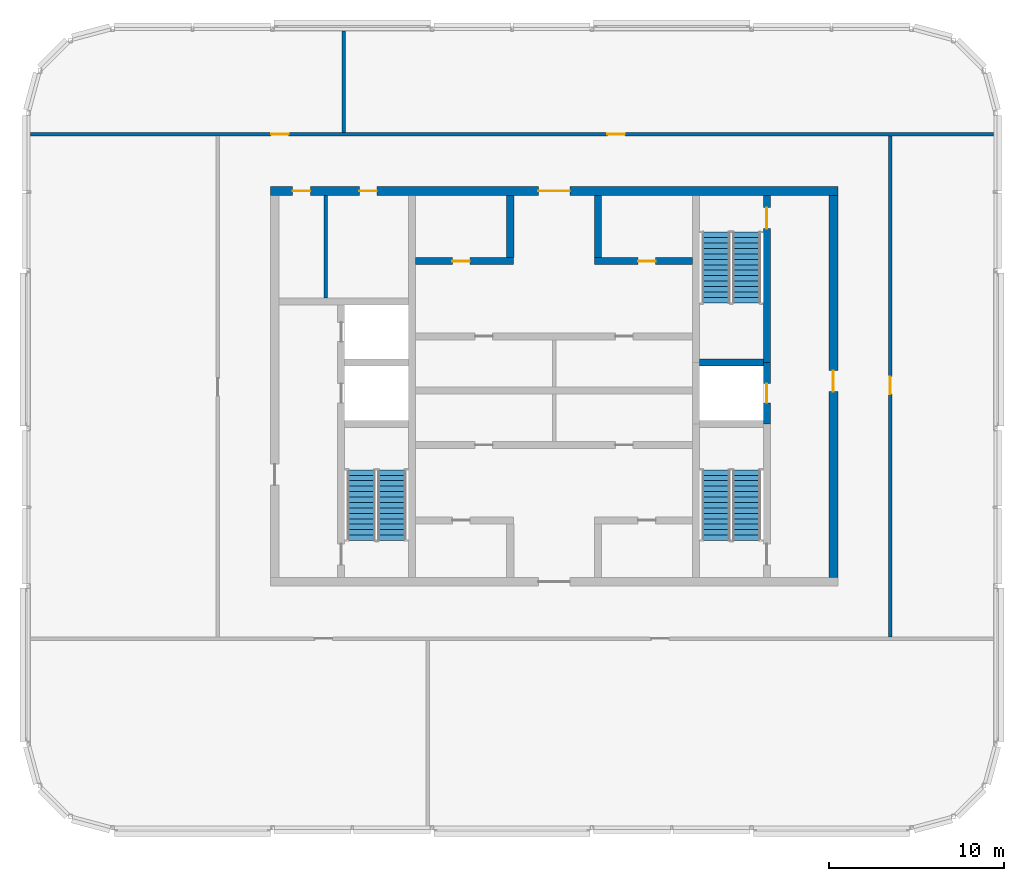
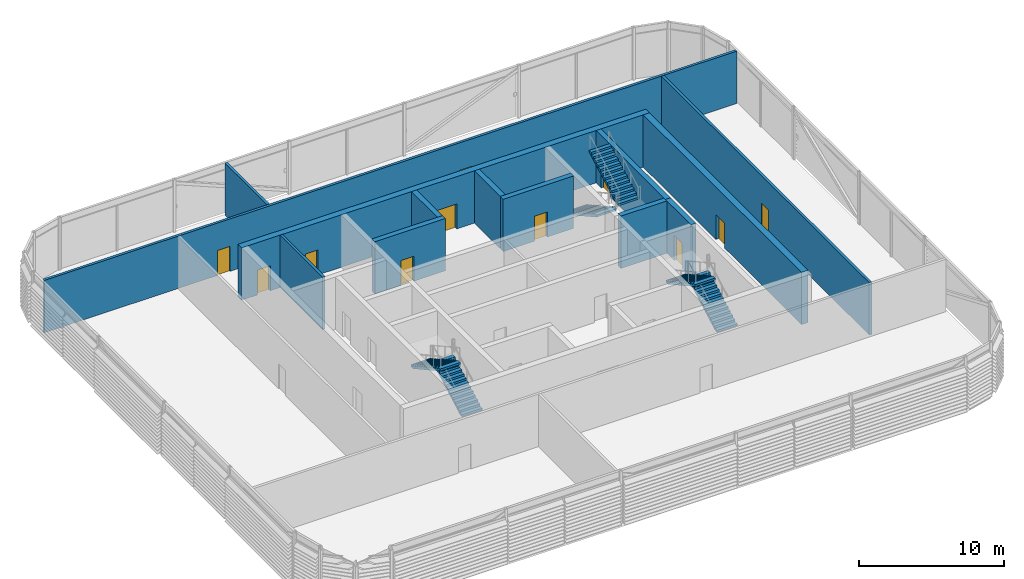
# One storey, part 16 of 27: 13 walls, 11 doors, 6 stair flights, 11 openings, 3 elements without a shape of their own.
"""IFC4 building model written with IfcOpenShell, lengths in metres."""

from ifc_helpers import new_model, si_unit, direction, frame, frame_2d, origin, place, context, subcontext, project, spatial, polyline, rectangle, outline, extrude, material, layer, layer_set, type_object, element, fill, aggregate, save


model = new_model("IFC4")

# Units and contexts
model_context = context("Model", 3, precision=1e-05, world=origin(), true_north=direction((0.0, 1.0)))
body_context = subcontext(model_context, "Body", "Model", "MODEL_VIEW")
ifc_project = project(units=[si_unit("LENGTHUNIT", "METRE"), si_unit("AREAUNIT", "SQUARE_METRE"), si_unit("VOLUMEUNIT", "CUBIC_METRE"), si_unit("PLANEANGLEUNIT", "RADIAN"), si_unit("MASSUNIT", "GRAM", prefix="KILO")], contexts=[model_context])

# Site, building, storey
site_placement = place(None, origin())
site = spatial("IfcSite", under=ifc_project, at=site_placement, CompositionType="ELEMENT")
building_placement = place(site_placement, origin())
building = spatial("IfcBuilding", under=site, at=building_placement, Name="Madar Terraces", CompositionType="ELEMENT")
storey_placement = place(building_placement, frame((0.0, 0.0, 301.10009765625)))
storey = spatial("IfcBuildingStorey", under=building, at=storey_placement, Name="L78", CompositionType="ELEMENT", Elevation=301.10009765625)

# Wall, opening, door
ifc_material_1 = material(Name="Concrete C50/60", Category="concrete")
ifc_layer_1 = layer(ifc_material_1, 0.39990234375)
ifc_layer_set_1 = layer_set([ifc_layer_1], Name="Concrete C50/60 (CIW6 RC wall 400)")
wall_type_1 = type_object("IfcWallType", Name="CIW6 RC wall 400", PredefinedType="SHEAR", material=ifc_layer_set_1)
wall_1_placement = place(storey_placement, frame((43.35009765625, 24.25, 0.0), z_axis=(0.0, 0.0, 1.0), x_axis=(0.0, 1.0, 0.0)))
wall_1 = element("IfcWall", 1, at=wall_1_placement, inside=storey, type_object=wall_type_1, Name="CORE SHAFT WALL", PredefinedType="SHEAR", context=body_context, shape_type="SweptSolid", body=[
    extrude(rectangle(XDim=3.5, YDim=0.39990234375, at=frame_2d((1.75, 0.0))), origin(), (0.0, 0.0, 1.0), 4.39990234375),
])
opening_1_placement = place(wall_1_placement, frame((1.199951171875, 0.0, 0.0)))
opening_1 = element("IfcOpeningElement", 2, at=opening_1_placement, cuts=wall_1, Name="Opening LD", PredefinedType="OPENING", context=body_context, shape_type="SweptSolid", body=[
    extrude(rectangle(XDim=1.10009765625, YDim=2.10009765625, at=frame_2d((0.550048828125, 1.050048828125))), frame((0.0, 0.2099609375, 0.0), z_axis=(0.0, -1.0, 0.0), x_axis=(1.0, 0.0, 0.0)), (0.0, 0.0, 1.0), 0.419921875),
])
ifc_material_2 = material(Name="Stainless steel panel", Category="steel")
door_type_1 = type_object("IfcDoorType", Name="Lift landing door 1100 x 2100", OperationType="DOUBLE_DOOR_SLIDING", PredefinedType="DOOR", material=ifc_material_2)
door_1_placement = place(opening_1_placement, origin())
door_1 = element("IfcDoor", 3, at=door_1_placement, inside=storey, type_object=door_type_1, Name="LIFT LANDING DOOR", OperationType="DOUBLE_DOOR_SLIDING", OverallHeight=2.10009765625, OverallWidth=1.10009765625, PredefinedType="DOOR", context=body_context, shape_type="SweptSolid", body=[
    extrude(rectangle(XDim=1.10009765625, YDim=2.10009765625, at=frame_2d((0.550048828125, 1.050048828125))), frame((0.0, 0.02490234375, 0.0), z_axis=(0.0, -1.0, 0.0), x_axis=(1.0, 0.0, 0.0)), (0.0, 0.0, 1.0), 0.050048828125),
])
fill(opening_1, door_1)

wall_2_placement = place(storey_placement, frame((43.35009765625, 27.75, 0.0), z_axis=(0.0, 0.0, 1.0), x_axis=(0.0, 1.0, 0.0)))
wall_2 = element("IfcWall", 4, at=wall_2_placement, inside=storey, type_object=wall_type_1, Name="CORE SHAFT WALL", PredefinedType="SHEAR", context=body_context, shape_type="SweptSolid", body=[
    extrude(rectangle(XDim=9.550048828125, YDim=0.39990234375, at=frame_2d((4.77490234375, 0.0))), origin(), (0.0, 0.0, 1.0), 4.39990234375),
])
opening_2_placement = place(wall_2_placement, frame((7.64990234375, 0.0, 0.0)))
opening_2 = element("IfcOpeningElement", 5, at=opening_2_placement, cuts=wall_2, Name="Opening SD1", PredefinedType="OPENING", context=body_context, shape_type="SweptSolid", body=[
    extrude(rectangle(XDim=1.199951171875, YDim=2.10009765625, at=frame_2d((0.60009765625, 1.050048828125))), frame((0.0, 0.2099609375, 0.0), z_axis=(0.0, -1.0, 0.0), x_axis=(1.0, 0.0, 0.0)), (0.0, 0.0, 1.0), 0.419921875),
])
ifc_material_3 = material(Name="Steel door leaf", Category="steel")
door_type_2 = type_object("IfcDoorType", Name="Stair door 1200 x 2100", OperationType="NOTDEFINED", PredefinedType="DOOR", material=ifc_material_3)
door_2_placement = place(opening_2_placement, origin())
door_2 = element("IfcDoor", 6, at=door_2_placement, inside=storey, type_object=door_type_2, Name="STAIR DOOR", OperationType="SINGLE_SWING_RIGHT", OverallHeight=2.10009765625, OverallWidth=1.199951171875, PredefinedType="DOOR", context=body_context, shape_type="SweptSolid", body=[
    extrude(rectangle(XDim=1.199951171875, YDim=2.10009765625, at=frame_2d((0.60009765625, 1.050048828125))), frame((0.0, 0.02490234375, 0.0), z_axis=(0.0, -1.0, 0.0), x_axis=(1.0, 0.0, 0.0)), (0.0, 0.0, 1.0), 0.050048828125),
])
fill(opening_2, door_2)

# Wall
wall_3_placement = place(storey_placement, frame((39.5, 27.75, 0.0), z_axis=(0.0, 0.0, 1.0), x_axis=(1.0, 0.0, 0.0)))
element("IfcWall", 7, at=wall_3_placement, inside=storey, type_object=wall_type_1, Name="CORE SHAFT WALL", PredefinedType="SHEAR", context=body_context, shape_type="SweptSolid", body=[
    extrude(rectangle(XDim=3.64990234375, YDim=0.39990234375, at=frame_2d((1.824951171875, 0.0))), origin(), (0.0, 0.0, 1.0), 4.39990234375),
])

# Wall, opening, door
wall_4_placement = place(storey_placement, frame((23.300048828125, 33.550048828125, 0.0), z_axis=(0.0, 0.0, 1.0), x_axis=(1.0, 0.0, 0.0)))
wall_4 = element("IfcWall", 8, at=wall_4_placement, inside=storey, type_object=wall_type_1, Name="CORE SHAFT WALL", PredefinedType="SHEAR", context=body_context, shape_type="SweptSolid", body=[
    extrude(rectangle(XDim=5.599853515625, YDim=0.39990234375, at=frame_2d((2.7998046875, 0.0))), origin(), (0.0, 0.0, 1.0), 4.39990234375),
])
opening_3_placement = place(wall_4_placement, frame((2.10009765625, 0.0, 0.0)))
opening_3 = element("IfcOpeningElement", 9, at=opening_3_placement, cuts=wall_4, Name="Opening KD2", PredefinedType="OPENING", context=body_context, shape_type="SweptSolid", body=[
    extrude(rectangle(XDim=1.0, YDim=2.10009765625, at=frame_2d((0.5, 1.050048828125))), frame((0.0, 0.2099609375, 0.0), z_axis=(0.0, -1.0, 0.0), x_axis=(1.0, 0.0, 0.0)), (0.0, 0.0, 1.0), 0.419921875),
])
ifc_material_4 = material(Name="Steel door leaf", Category="steel")
door_type_3 = type_object("IfcDoorType", Name="Service room door 1000 x 2100", OperationType="NOTDEFINED", PredefinedType="DOOR", material=ifc_material_4)
door_3_placement = place(opening_3_placement, frame((1.0, 0.0, 0.0), z_axis=(0.0, 0.0, 1.0), x_axis=(-1.0, 0.0, 0.0)))
door_3 = element("IfcDoor", 10, at=door_3_placement, inside=storey, type_object=door_type_3, Name="SERVICE ROOM DOOR", OperationType="SINGLE_SWING_LEFT", OverallHeight=2.10009765625, OverallWidth=1.0, PredefinedType="DOOR", context=body_context, shape_type="SweptSolid", body=[
    extrude(rectangle(XDim=1.0, YDim=2.10009765625, at=frame_2d((0.5, 1.050048828125))), frame((0.0, 0.02490234375, 0.0), z_axis=(0.0, -1.0, 0.0), x_axis=(1.0, 0.0, 0.0)), (0.0, 0.0, 1.0), 0.050048828125),
])
fill(opening_3, door_3)

wall_5_placement = place(storey_placement, frame((33.5, 33.550048828125, 0.0), z_axis=(0.0, 0.0, 1.0), x_axis=(1.0, 0.0, 0.0)))
wall_5 = element("IfcWall", 11, at=wall_5_placement, inside=storey, type_object=wall_type_1, Name="CORE SHAFT WALL", PredefinedType="SHEAR", context=body_context, shape_type="SweptSolid", body=[
    extrude(rectangle(XDim=5.60009765625, YDim=0.39990234375, at=frame_2d((2.800048828125, 0.0))), origin(), (0.0, 0.0, 1.0), 4.39990234375),
])
opening_4_placement = place(wall_5_placement, frame((2.5, 0.0, 0.0)))
opening_4 = element("IfcOpeningElement", 12, at=opening_4_placement, cuts=wall_5, Name="Opening KD2", PredefinedType="OPENING", context=body_context, shape_type="SweptSolid", body=[
    extrude(rectangle(XDim=1.0, YDim=2.10009765625, at=frame_2d((0.5, 1.050048828125))), frame((0.0, 0.2099609375, 0.0), z_axis=(0.0, -1.0, 0.0), x_axis=(1.0, 0.0, 0.0)), (0.0, 0.0, 1.0), 0.419921875),
])
door_4_placement = place(opening_4_placement, frame((1.0, 0.0, 0.0), z_axis=(0.0, 0.0, 1.0), x_axis=(-1.0, 0.0, 0.0)))
door_4 = element("IfcDoor", 13, at=door_4_placement, inside=storey, type_object=door_type_3, Name="SERVICE ROOM DOOR", OperationType="SINGLE_SWING_RIGHT", OverallHeight=2.10009765625, OverallWidth=1.0, PredefinedType="DOOR", context=body_context, shape_type="SweptSolid", body=[
    extrude(rectangle(XDim=1.0, YDim=2.10009765625, at=frame_2d((0.5, 1.050048828125))), frame((0.0, 0.02490234375, 0.0), z_axis=(0.0, -1.0, 0.0), x_axis=(1.0, 0.0, 0.0)), (0.0, 0.0, 1.0), 0.050048828125),
])
fill(opening_4, door_4)

# Walls
for number, where, z_axis, x_axis, name in (
    (14, (28.699951171875, 33.75, 0.0), (0.0, 0.0, 1.0), (0.0, 1.0, 0.0), "CORE SHAFT WALL"),
    (15, (33.699951171875, 33.75, 0.0), (0.0, 0.0, 1.0), (0.0, 1.0, 0.0), "CORE SHAFT WALL"),
):
    element("IfcWall", number, at=place(storey_placement, frame(where, z_axis=z_axis, x_axis=x_axis)), inside=storey, type_object=wall_type_1, Name=name, PredefinedType="SHEAR", context=body_context, shape_type="SweptSolid", body=[
        extrude(rectangle(XDim=3.550048828125, YDim=0.39990234375, at=frame_2d((1.77490234375, 0.0))), origin(), (0.0, 0.0, 1.0), 4.39990234375),
    ])

# Wall, openings, doors
ifc_material_5 = material(Name="Concrete C50/60", Category="concrete")
ifc_layer_2 = layer(ifc_material_5, 0.5)
ifc_layer_set_2 = layer_set([ifc_layer_2], Name="Concrete C50/60 (CRW6 RC wall 500)")
wall_type_2 = type_object("IfcWallType", Name="CRW6 RC wall 500", PredefinedType="SHEAR", material=ifc_layer_set_2)
wall_6_placement = place(storey_placement, frame((15.0, 37.550048828125, 0.0), z_axis=(0.0, 0.0, 1.0), x_axis=(1.0, 0.0, 0.0)))
wall_6 = element("IfcWall", 16, at=wall_6_placement, inside=storey, type_object=wall_type_2, Name="CORE OUTER WALL", PredefinedType="SHEAR", context=body_context, shape_type="SweptSolid", body=[
    extrude(rectangle(XDim=32.39990234375, YDim=0.5, at=frame_2d((16.199951171875, 0.0))), origin(), (0.0, 0.0, 1.0), 4.39990234375),
])
opening_5_placement = place(wall_6_placement, frame((15.300048828125, 0.0, 0.0)))
opening_5 = element("IfcOpeningElement", 17, at=opening_5_placement, cuts=wall_6, Name="Opening KD1", PredefinedType="OPENING", context=body_context, shape_type="SweptSolid", body=[
    extrude(rectangle(XDim=1.800048828125, YDim=2.10009765625, at=frame_2d((0.89990234375, 1.050048828125))), frame((0.0, 0.260009765625, 0.0), z_axis=(0.0, -1.0, 0.0), x_axis=(1.0, 0.0, 0.0)), (0.0, 0.0, 1.0), 0.52001953125),
])
opening_6_placement = place(wall_6_placement, frame((1.281982421875, 0.0, 0.0)))
opening_6 = element("IfcOpeningElement", 18, at=opening_6_placement, cuts=wall_6, Name="Opening KD2", PredefinedType="OPENING", context=body_context, shape_type="SweptSolid", body=[
    extrude(rectangle(XDim=1.0, YDim=2.10009765625, at=frame_2d((0.5, 1.050048828125))), frame((0.0, 0.260009765625, 0.0), z_axis=(0.0, -1.0, 0.0), x_axis=(1.0, 0.0, 0.0)), (0.0, 0.0, 1.0), 0.52001953125),
])
opening_7_placement = place(wall_6_placement, frame((5.08203125, 0.0, 0.0)))
opening_7 = element("IfcOpeningElement", 19, at=opening_7_placement, cuts=wall_6, Name="Opening KD2", PredefinedType="OPENING", context=body_context, shape_type="SweptSolid", body=[
    extrude(rectangle(XDim=1.0, YDim=2.10009765625, at=frame_2d((0.5, 1.050048828125))), frame((0.0, 0.260009765625, 0.0), z_axis=(0.0, -1.0, 0.0), x_axis=(1.0, 0.0, 0.0)), (0.0, 0.0, 1.0), 0.52001953125),
])
ifc_material_6 = material(Name="Steel door leaf", Category="steel")
door_type_4 = type_object("IfcDoorType", Name="Lobby door pair 1800 x 2100", OperationType="DOUBLE_DOOR_SINGLE_SWING", PredefinedType="DOOR", material=ifc_material_6)
door_5_placement = place(opening_5_placement, origin())
door_5 = element("IfcDoor", 20, at=door_5_placement, inside=storey, type_object=door_type_4, Name="LIFT LOBBY DOOR", OperationType="DOUBLE_DOOR_SINGLE_SWING", OverallHeight=2.10009765625, OverallWidth=1.800048828125, PredefinedType="DOOR", context=body_context, shape_type="SweptSolid", body=[
    extrude(rectangle(XDim=1.800048828125, YDim=2.10009765625, at=frame_2d((0.89990234375, 1.050048828125))), frame((0.0, 0.02490234375, 0.0), z_axis=(0.0, -1.0, 0.0), x_axis=(1.0, 0.0, 0.0)), (0.0, 0.0, 1.0), 0.050048828125),
])
fill(opening_5, door_5)
door_6_placement = place(opening_6_placement, origin())
door_6 = element("IfcDoor", 21, at=door_6_placement, inside=storey, type_object=door_type_3, Name="SERVICE ROOM DOOR", OperationType="SINGLE_SWING_LEFT", OverallHeight=2.10009765625, OverallWidth=1.0, PredefinedType="DOOR", context=body_context, shape_type="SweptSolid", body=[
    extrude(rectangle(XDim=1.0, YDim=2.10009765625, at=frame_2d((0.5, 1.050048828125))), frame((0.0, 0.02490234375, 0.0), z_axis=(0.0, -1.0, 0.0), x_axis=(1.0, 0.0, 0.0)), (0.0, 0.0, 1.0), 0.050048828125),
])
fill(opening_6, door_6)
door_7_placement = place(opening_7_placement, origin())
door_7 = element("IfcDoor", 22, at=door_7_placement, inside=storey, type_object=door_type_3, Name="SERVICE ROOM DOOR", OperationType="SINGLE_SWING_RIGHT", OverallHeight=2.10009765625, OverallWidth=1.0, PredefinedType="DOOR", context=body_context, shape_type="SweptSolid", body=[
    extrude(rectangle(XDim=1.0, YDim=2.10009765625, at=frame_2d((0.5, 1.050048828125))), frame((0.0, 0.02490234375, 0.0), z_axis=(0.0, -1.0, 0.0), x_axis=(1.0, 0.0, 0.0)), (0.0, 0.0, 1.0), 0.050048828125),
])
fill(opening_7, door_7)

# Wall, opening, door
wall_7_placement = place(storey_placement, frame((47.14990234375, 15.5, 0.0), z_axis=(0.0, 0.0, 1.0), x_axis=(0.0, 1.0, 0.0)))
wall_7 = element("IfcWall", 23, at=wall_7_placement, inside=storey, type_object=wall_type_2, Name="CORE OUTER WALL", PredefinedType="SHEAR", context=body_context, shape_type="SweptSolid", body=[
    extrude(rectangle(XDim=21.800048828125, YDim=0.5, at=frame_2d((10.89990234375, 0.0))), origin(), (0.0, 0.0, 1.0), 4.39990234375),
])
opening_8_placement = place(wall_7_placement, frame((10.60009765625, 0.0, 0.0)))
opening_8 = element("IfcOpeningElement", 24, at=opening_8_placement, cuts=wall_7, Name="Opening SD1", PredefinedType="OPENING", context=body_context, shape_type="SweptSolid", body=[
    extrude(rectangle(XDim=1.199951171875, YDim=2.10009765625, at=frame_2d((0.60009765625, 1.050048828125))), frame((0.0, 0.260009765625, 0.0), z_axis=(0.0, -1.0, 0.0), x_axis=(1.0, 0.0, 0.0)), (0.0, 0.0, 1.0), 0.52001953125),
])
door_8_placement = place(opening_8_placement, origin())
door_8 = element("IfcDoor", 25, at=door_8_placement, inside=storey, type_object=door_type_2, Name="STAIR DOOR", OperationType="SINGLE_SWING_RIGHT", OverallHeight=2.10009765625, OverallWidth=1.199951171875, PredefinedType="DOOR", context=body_context, shape_type="SweptSolid", body=[
    extrude(rectangle(XDim=1.199951171875, YDim=2.10009765625, at=frame_2d((0.60009765625, 1.050048828125))), frame((0.0, 0.02490234375, 0.0), z_axis=(0.0, -1.0, 0.0), x_axis=(1.0, 0.0, 0.0)), (0.0, 0.0, 1.0), 0.050048828125),
])
fill(opening_8, door_8)

# Wall
ifc_material_7 = material(Name="Masonry blockwork", Category="masonry")
ifc_layer_3 = layer(ifc_material_7, 0.199951171875)
ifc_layer_set_3 = layer_set([ifc_layer_3], Name="Core partition 200 blockwork")
wall_type_3 = type_object("IfcWallType", Name="Core partition 200 blockwork", PredefinedType="PARTITIONING", material=ifc_layer_set_3)
wall_8_placement = place(storey_placement, frame((18.1640625, 31.449951171875, 0.0), z_axis=(0.0, 0.0, 1.0), x_axis=(0.0, 1.0, 0.0)))
element("IfcWall", 26, at=wall_8_placement, inside=storey, type_object=wall_type_3, Name="SERVICE ROOM PARTITION", PredefinedType="PARTITIONING", context=body_context, shape_type="SweptSolid", body=[
    extrude(rectangle(XDim=5.85009765625, YDim=0.199951171875, at=frame_2d((2.925048828125, 0.0))), origin(), (0.0, 0.0, 1.0), 4.39990234375),
])

# Wall, openings, doors
ifc_material_8 = material(Name="Blockwork", Category="masonry")
ifc_layer_4 = layer(ifc_material_8, 0.199951171875)
ifc_layer_set_4 = layer_set([ifc_layer_4], Name="Partition 200 EI 120")
wall_type_4 = type_object("IfcWallType", Name="Partition 200 EI 120", PredefinedType="PARTITIONING", material=ifc_layer_set_4)
wall_9_placement = place(storey_placement, frame((1.300048828125, 40.800048828125, 0.0), z_axis=(0.0, 0.0, 1.0), x_axis=(1.0, 0.0, 0.0)))
wall_9 = element("IfcWall", 27, at=wall_9_placement, inside=storey, type_object=wall_type_4, Name="Wall AIR HANDLING PLANT ROOM + ELECTRICAL PLANT ROOM", PredefinedType="PARTITIONING", context=body_context, shape_type="SweptSolid", body=[
    extrude(rectangle(XDim=55.0, YDim=0.199951171875, at=frame_2d((27.5, 0.0))), origin(), (0.0, 0.0, 1.0), 4.39990234375),
])
opening_9_placement = place(wall_9_placement, frame((13.75, 0.0, 0.0)))
opening_9 = element("IfcOpeningElement", 28, at=opening_9_placement, cuts=wall_9, Name="Opening D33", PredefinedType="OPENING", context=body_context, shape_type="SweptSolid", body=[
    extrude(rectangle(XDim=1.0, YDim=2.10009765625, at=frame_2d((0.5, 1.050048828125))), frame((0.0, 0.10986328125, 0.0), z_axis=(0.0, -1.0, 0.0), x_axis=(1.0, 0.0, 0.0)), (0.0, 0.0, 1.0), 0.219970703125),
])
opening_10_placement = place(wall_9_placement, frame((32.949951171875, 0.0, 0.0)))
opening_10 = element("IfcOpeningElement", 29, at=opening_10_placement, cuts=wall_9, Name="Opening D33", PredefinedType="OPENING", context=body_context, shape_type="SweptSolid", body=[
    extrude(rectangle(XDim=1.0, YDim=2.10009765625, at=frame_2d((0.5, 1.050048828125))), frame((0.0, 0.10986328125, 0.0), z_axis=(0.0, -1.0, 0.0), x_axis=(1.0, 0.0, 0.0)), (0.0, 0.0, 1.0), 0.219970703125),
])
ifc_material_9 = material(Name="Timber door leaf, fire-rated", Category="wood")
door_type_5 = type_object("IfcDoorType", Name="Podium door 1000 x 2100 FD90S", OperationType="NOTDEFINED", PredefinedType="DOOR", material=ifc_material_9)
door_9_placement = place(opening_9_placement, origin())
door_9 = element("IfcDoor", 30, at=door_9_placement, inside=storey, type_object=door_type_5, Name="Door ELECTRICAL PLANT ROOM / RING CORRIDOR", OperationType="SINGLE_SWING_LEFT", OverallHeight=2.10009765625, OverallWidth=1.0, PredefinedType="DOOR", context=body_context, shape_type="SweptSolid", body=[
    extrude(rectangle(XDim=1.0, YDim=2.10009765625, at=frame_2d((0.5, 1.050048828125))), frame((0.0, 0.02490234375, 0.0), z_axis=(0.0, -1.0, 0.0), x_axis=(1.0, 0.0, 0.0)), (0.0, 0.0, 1.0), 0.050048828125),
])
fill(opening_9, door_9)
door_10_placement = place(opening_10_placement, origin())
door_10 = element("IfcDoor", 31, at=door_10_placement, inside=storey, type_object=door_type_5, Name="Door WATER TANK ROOM / RING CORRIDOR", OperationType="SINGLE_SWING_LEFT", OverallHeight=2.10009765625, OverallWidth=1.0, PredefinedType="DOOR", context=body_context, shape_type="SweptSolid", body=[
    extrude(rectangle(XDim=1.0, YDim=2.10009765625, at=frame_2d((0.5, 1.050048828125))), frame((0.0, 0.02490234375, 0.0), z_axis=(0.0, -1.0, 0.0), x_axis=(1.0, 0.0, 0.0)), (0.0, 0.0, 1.0), 0.050048828125),
])
fill(opening_10, door_10)

# Wall
wall_10_placement = place(storey_placement, frame((19.199951171875, 40.89990234375, 0.0), z_axis=(0.0, 0.0, 1.0), x_axis=(0.0, 1.0, 0.0)))
element("IfcWall", 32, at=wall_10_placement, inside=storey, type_object=wall_type_4, Name="Wall ELECTRICAL PLANT ROOM / WATER TANK ROOM", PredefinedType="PARTITIONING", context=body_context, shape_type="SweptSolid", body=[
    extrude(rectangle(XDim=5.800048828125, YDim=0.199951171875, at=frame_2d((2.89990234375, 0.0))), origin(), (0.0, 0.0, 1.0), 4.39990234375),
])

# Wall, opening, door
wall_11_placement = place(storey_placement, frame((50.39990234375, 40.699951171875, 0.0), z_axis=(0.0, 0.0, 1.0), x_axis=(0.0, -1.0, 0.0)))
wall_11 = element("IfcWall", 33, at=wall_11_placement, inside=storey, type_object=wall_type_4, Name="Wall VENTILATION PLANT ROOM / RING CORRIDOR", PredefinedType="PARTITIONING", context=body_context, shape_type="SweptSolid", body=[
    extrude(rectangle(XDim=28.599853515625, YDim=0.199951171875, at=frame_2d((14.2998046875, 0.0))), origin(), (0.0, 0.0, 1.0), 4.39990234375),
])
opening_11_placement = place(wall_11_placement, frame((13.75, 0.0, 0.0)))
opening_11 = element("IfcOpeningElement", 34, at=opening_11_placement, cuts=wall_11, Name="Opening D33", PredefinedType="OPENING", context=body_context, shape_type="SweptSolid", body=[
    extrude(rectangle(XDim=1.0, YDim=2.10009765625, at=frame_2d((0.5, 1.050048828125))), frame((0.0, 0.10986328125, 0.0), z_axis=(0.0, -1.0, 0.0), x_axis=(1.0, 0.0, 0.0)), (0.0, 0.0, 1.0), 0.219970703125),
])
door_11_placement = place(opening_11_placement, origin())
door_11 = element("IfcDoor", 35, at=door_11_placement, inside=storey, type_object=door_type_5, Name="Door VENTILATION PLANT ROOM / RING CORRIDOR", OperationType="SINGLE_SWING_LEFT", OverallHeight=2.10009765625, OverallWidth=1.0, PredefinedType="DOOR", context=body_context, shape_type="SweptSolid", body=[
    extrude(rectangle(XDim=1.0, YDim=2.10009765625, at=frame_2d((0.5, 1.050048828125))), frame((0.0, 0.02490234375, 0.0), z_axis=(0.0, -1.0, 0.0), x_axis=(1.0, 0.0, 0.0)), (0.0, 0.0, 1.0), 0.050048828125),
])
fill(opening_11, door_11)

# Stair, stair flights
ifc_material_10 = material(Name="Concrete C50/60", Category="concrete")
stair_type_1 = type_object("IfcStairType", Name="Stair ST1 protected exit", PredefinedType="HALF_TURN_STAIR", material=ifc_material_10)
stair_1_placement = place(storey_placement, origin())
stair_1 = element("IfcStair", 36, at=stair_1_placement, inside=storey, type_object=stair_type_1, Name="L78 Protected Exit Stair ST1", PredefinedType="HALF_TURN_STAIR")
ifc_material_11 = material(Name="Concrete C50/60", Category="concrete")
stair_flight_type_1 = type_object("IfcStairFlightType", Name="Stair flight ST1-F5, 1600 wide, 14 risers", PredefinedType="STRAIGHT", material=ifc_material_11)
stair_flight_1_placement = place(storey_placement, frame((21.949951171875, 17.60009765625, 0.0), z_axis=(0.0, 0.0, 1.0), x_axis=(0.0, 1.0, 0.0)))
stair_flight_1 = element("IfcStairFlight", 37, at=stair_flight_1_placement, type_object=stair_flight_type_1, Name="ST1 flight 1", NumberOfRisers=14, NumberOfTreads=13, PredefinedType="STRAIGHT", RiserHeight=0.171428571, TreadLength=0.31, context=body_context, shape_type="SweptSolid", body=[
    extrude(outline(polyline([(0.0, 0.0), (0.0, 0.17138671875), (0.31005859375, 0.17138671875), (0.31005859375, 0.3427734375), (0.6201171875, 0.3427734375), (0.6201171875, 0.514404296875), (0.929931640625, 0.514404296875), (0.929931640625, 0.685791015625), (1.239990234375, 0.685791015625), (1.239990234375, 0.857177734375), (1.550048828125, 0.857177734375), (1.550048828125, 1.028564453125), (1.860107421875, 1.028564453125), (1.860107421875, 1.199951171875), (2.169921875, 1.199951171875), (2.169921875, 1.371337890625), (2.47998046875, 1.371337890625), (2.47998046875, 1.54296875), (2.7900390625, 1.54296875), (2.7900390625, 1.71435546875), (3.10009765625, 1.71435546875), (3.10009765625, 1.8857421875), (3.409912109375, 1.8857421875), (3.409912109375, 2.05712890625), (3.719970703125, 2.05712890625), (3.719970703125, 2.228515625), (4.030029296875, 2.228515625), (4.030029296875, 2.39990234375), (4.030029296875, 2.057373046875), (0.309814453125, 0.0), (0.0, 0.0)])), frame((0.0, 0.800048828125, 0.0), z_axis=(0.0, -1.0, 0.0), x_axis=(1.0, 0.0, 0.0)), (0.0, 0.0, 1.0), 1.60009765625),
])
stair_flight_2_placement = place(storey_placement, frame((20.199951171875, 21.6298828125, 2.39990234375), z_axis=(0.0, 0.0, 1.0), x_axis=(0.0, -1.0, 0.0)))
stair_flight_2 = element("IfcStairFlight", 38, at=stair_flight_2_placement, type_object=stair_flight_type_1, Name="ST1 flight 2", NumberOfRisers=14, NumberOfTreads=13, PredefinedType="STRAIGHT", RiserHeight=0.171428571, TreadLength=0.31, context=body_context, shape_type="SweptSolid", body=[
    extrude(outline(polyline([(0.0, 0.0), (0.0, 0.17138671875), (0.31005859375, 0.17138671875), (0.31005859375, 0.3427734375), (0.6201171875, 0.3427734375), (0.6201171875, 0.514404296875), (0.929931640625, 0.514404296875), (0.929931640625, 0.685791015625), (1.239990234375, 0.685791015625), (1.239990234375, 0.857177734375), (1.550048828125, 0.857177734375), (1.550048828125, 1.028564453125), (1.860107421875, 1.028564453125), (1.860107421875, 1.199951171875), (2.169921875, 1.199951171875), (2.169921875, 1.371337890625), (2.47998046875, 1.371337890625), (2.47998046875, 1.54296875), (2.7900390625, 1.54296875), (2.7900390625, 1.71435546875), (3.10009765625, 1.71435546875), (3.10009765625, 1.8857421875), (3.409912109375, 1.8857421875), (3.409912109375, 2.05712890625), (3.719970703125, 2.05712890625), (3.719970703125, 2.228515625), (4.030029296875, 2.228515625), (4.030029296875, 2.39990234375), (4.030029296875, 2.057373046875), (0.309814453125, 0.0), (0.0, 0.0)])), frame((0.0, 0.800048828125, 0.0), z_axis=(0.0, -1.0, 0.0), x_axis=(1.0, 0.0, 0.0)), (0.0, 0.0, 1.0), 1.60009765625),
])
aggregate(stair_1, [stair_flight_1, stair_flight_2])

ifc_material_12 = material(Name="Concrete C50/60", Category="concrete")
stair_type_2 = type_object("IfcStairType", Name="Stair ST2 protected exit", PredefinedType="HALF_TURN_STAIR", material=ifc_material_12)
stair_2_placement = place(storey_placement, origin())
stair_2 = element("IfcStair", 39, at=stair_2_placement, inside=storey, type_object=stair_type_2, Name="L78 Protected Exit Stair ST2", PredefinedType="HALF_TURN_STAIR")
ifc_material_13 = material(Name="Concrete C50/60", Category="concrete")
stair_flight_type_2 = type_object("IfcStairFlightType", Name="Stair flight ST2-F5, 1600 wide, 14 risers", PredefinedType="STRAIGHT", material=ifc_material_13)
stair_flight_3_placement = place(storey_placement, frame((40.449951171875, 35.199951171875, 0.0), z_axis=(0.0, 0.0, 1.0), x_axis=(0.0, -1.0, 0.0)))
stair_flight_3 = element("IfcStairFlight", 40, at=stair_flight_3_placement, type_object=stair_flight_type_2, Name="ST2 flight 1", NumberOfRisers=14, NumberOfTreads=13, PredefinedType="STRAIGHT", RiserHeight=0.171428571, TreadLength=0.31, context=body_context, shape_type="SweptSolid", body=[
    extrude(outline(polyline([(0.0, 0.0), (0.0, 0.17138671875), (0.31005859375, 0.17138671875), (0.31005859375, 0.3427734375), (0.6201171875, 0.3427734375), (0.6201171875, 0.514404296875), (0.929931640625, 0.514404296875), (0.929931640625, 0.685791015625), (1.239990234375, 0.685791015625), (1.239990234375, 0.857177734375), (1.550048828125, 0.857177734375), (1.550048828125, 1.028564453125), (1.860107421875, 1.028564453125), (1.860107421875, 1.199951171875), (2.169921875, 1.199951171875), (2.169921875, 1.371337890625), (2.47998046875, 1.371337890625), (2.47998046875, 1.54296875), (2.7900390625, 1.54296875), (2.7900390625, 1.71435546875), (3.10009765625, 1.71435546875), (3.10009765625, 1.8857421875), (3.409912109375, 1.8857421875), (3.409912109375, 2.05712890625), (3.719970703125, 2.05712890625), (3.719970703125, 2.228515625), (4.030029296875, 2.228515625), (4.030029296875, 2.39990234375), (4.030029296875, 2.057373046875), (0.309814453125, 0.0), (0.0, 0.0)])), frame((0.0, 0.800048828125, 0.0), z_axis=(0.0, -1.0, 0.0), x_axis=(1.0, 0.0, 0.0)), (0.0, 0.0, 1.0), 1.60009765625),
])
stair_flight_4_placement = place(storey_placement, frame((42.199951171875, 31.169921875, 2.39990234375), z_axis=(0.0, 0.0, 1.0), x_axis=(0.0, 1.0, 0.0)))
stair_flight_4 = element("IfcStairFlight", 41, at=stair_flight_4_placement, type_object=stair_flight_type_2, Name="ST2 flight 2", NumberOfRisers=14, NumberOfTreads=13, PredefinedType="STRAIGHT", RiserHeight=0.171428571, TreadLength=0.31, context=body_context, shape_type="SweptSolid", body=[
    extrude(outline(polyline([(0.0, 0.0), (0.0, 0.17138671875), (0.31005859375, 0.17138671875), (0.31005859375, 0.3427734375), (0.6201171875, 0.3427734375), (0.6201171875, 0.514404296875), (0.929931640625, 0.514404296875), (0.929931640625, 0.685791015625), (1.239990234375, 0.685791015625), (1.239990234375, 0.857177734375), (1.550048828125, 0.857177734375), (1.550048828125, 1.028564453125), (1.860107421875, 1.028564453125), (1.860107421875, 1.199951171875), (2.169921875, 1.199951171875), (2.169921875, 1.371337890625), (2.47998046875, 1.371337890625), (2.47998046875, 1.54296875), (2.7900390625, 1.54296875), (2.7900390625, 1.71435546875), (3.10009765625, 1.71435546875), (3.10009765625, 1.8857421875), (3.409912109375, 1.8857421875), (3.409912109375, 2.05712890625), (3.719970703125, 2.05712890625), (3.719970703125, 2.228515625), (4.030029296875, 2.228515625), (4.030029296875, 2.39990234375), (4.030029296875, 2.057373046875), (0.309814453125, 0.0), (0.0, 0.0)])), frame((0.0, 0.800048828125, 0.0), z_axis=(0.0, -1.0, 0.0), x_axis=(1.0, 0.0, 0.0)), (0.0, 0.0, 1.0), 1.60009765625),
])
aggregate(stair_2, [stair_flight_3, stair_flight_4])

ifc_material_14 = material(Name="Concrete C50/60", Category="concrete")
stair_type_3 = type_object("IfcStairType", Name="Stair ST3 protected exit", PredefinedType="HALF_TURN_STAIR", material=ifc_material_14)
stair_3_placement = place(storey_placement, origin())
stair_3 = element("IfcStair", 42, at=stair_3_placement, inside=storey, type_object=stair_type_3, Name="L78 Protected Exit Stair ST3", PredefinedType="HALF_TURN_STAIR")
ifc_material_15 = material(Name="Concrete C50/60", Category="concrete")
stair_flight_type_3 = type_object("IfcStairFlightType", Name="Stair flight ST3-F5, 1600 wide, 14 risers", PredefinedType="STRAIGHT", material=ifc_material_15)
stair_flight_5_placement = place(storey_placement, frame((42.199951171875, 17.60009765625, 0.0), z_axis=(0.0, 0.0, 1.0), x_axis=(0.0, 1.0, 0.0)))
stair_flight_5 = element("IfcStairFlight", 43, at=stair_flight_5_placement, type_object=stair_flight_type_3, Name="ST3 flight 1", NumberOfRisers=14, NumberOfTreads=13, PredefinedType="STRAIGHT", RiserHeight=0.171428571, TreadLength=0.31, context=body_context, shape_type="SweptSolid", body=[
    extrude(outline(polyline([(0.0, 0.0), (0.0, 0.17138671875), (0.31005859375, 0.17138671875), (0.31005859375, 0.3427734375), (0.6201171875, 0.3427734375), (0.6201171875, 0.514404296875), (0.929931640625, 0.514404296875), (0.929931640625, 0.685791015625), (1.239990234375, 0.685791015625), (1.239990234375, 0.857177734375), (1.550048828125, 0.857177734375), (1.550048828125, 1.028564453125), (1.860107421875, 1.028564453125), (1.860107421875, 1.199951171875), (2.169921875, 1.199951171875), (2.169921875, 1.371337890625), (2.47998046875, 1.371337890625), (2.47998046875, 1.54296875), (2.7900390625, 1.54296875), (2.7900390625, 1.71435546875), (3.10009765625, 1.71435546875), (3.10009765625, 1.8857421875), (3.409912109375, 1.8857421875), (3.409912109375, 2.05712890625), (3.719970703125, 2.05712890625), (3.719970703125, 2.228515625), (4.030029296875, 2.228515625), (4.030029296875, 2.39990234375), (4.030029296875, 2.057373046875), (0.309814453125, 0.0), (0.0, 0.0)])), frame((0.0, 0.800048828125, 0.0), z_axis=(0.0, -1.0, 0.0), x_axis=(1.0, 0.0, 0.0)), (0.0, 0.0, 1.0), 1.60009765625),
])
stair_flight_6_placement = place(storey_placement, frame((40.449951171875, 21.6298828125, 2.39990234375), z_axis=(0.0, 0.0, 1.0), x_axis=(0.0, -1.0, 0.0)))
stair_flight_6 = element("IfcStairFlight", 44, at=stair_flight_6_placement, type_object=stair_flight_type_3, Name="ST3 flight 2", NumberOfRisers=14, NumberOfTreads=13, PredefinedType="STRAIGHT", RiserHeight=0.171428571, TreadLength=0.31, context=body_context, shape_type="SweptSolid", body=[
    extrude(outline(polyline([(0.0, 0.0), (0.0, 0.17138671875), (0.31005859375, 0.17138671875), (0.31005859375, 0.3427734375), (0.6201171875, 0.3427734375), (0.6201171875, 0.514404296875), (0.929931640625, 0.514404296875), (0.929931640625, 0.685791015625), (1.239990234375, 0.685791015625), (1.239990234375, 0.857177734375), (1.550048828125, 0.857177734375), (1.550048828125, 1.028564453125), (1.860107421875, 1.028564453125), (1.860107421875, 1.199951171875), (2.169921875, 1.199951171875), (2.169921875, 1.371337890625), (2.47998046875, 1.371337890625), (2.47998046875, 1.54296875), (2.7900390625, 1.54296875), (2.7900390625, 1.71435546875), (3.10009765625, 1.71435546875), (3.10009765625, 1.8857421875), (3.409912109375, 1.8857421875), (3.409912109375, 2.05712890625), (3.719970703125, 2.05712890625), (3.719970703125, 2.228515625), (4.030029296875, 2.228515625), (4.030029296875, 2.39990234375), (4.030029296875, 2.057373046875), (0.309814453125, 0.0), (0.0, 0.0)])), frame((0.0, 0.800048828125, 0.0), z_axis=(0.0, -1.0, 0.0), x_axis=(1.0, 0.0, 0.0)), (0.0, 0.0, 1.0), 1.60009765625),
])
aggregate(stair_3, [stair_flight_5, stair_flight_6])

save(model, "model.ifc")
